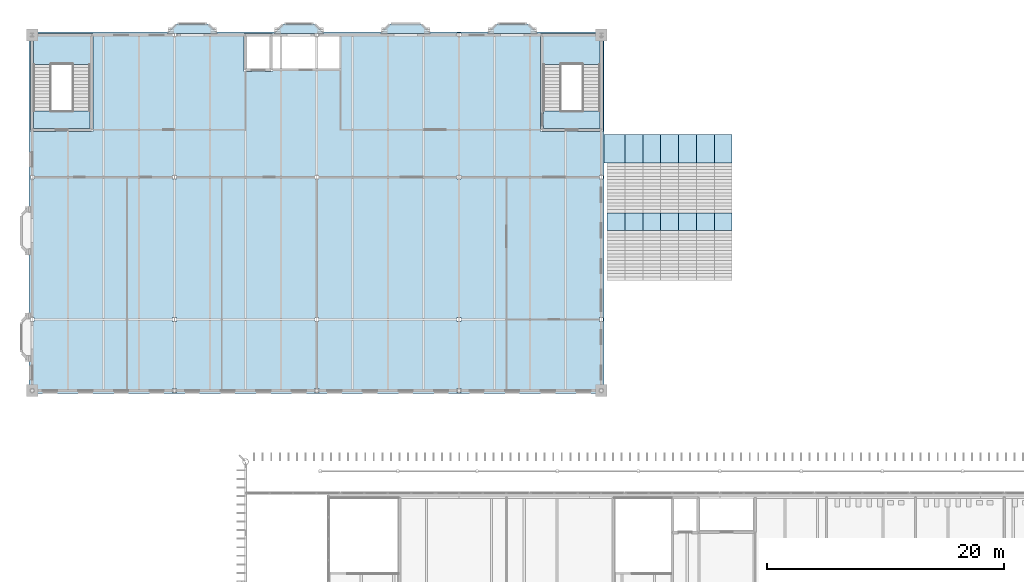
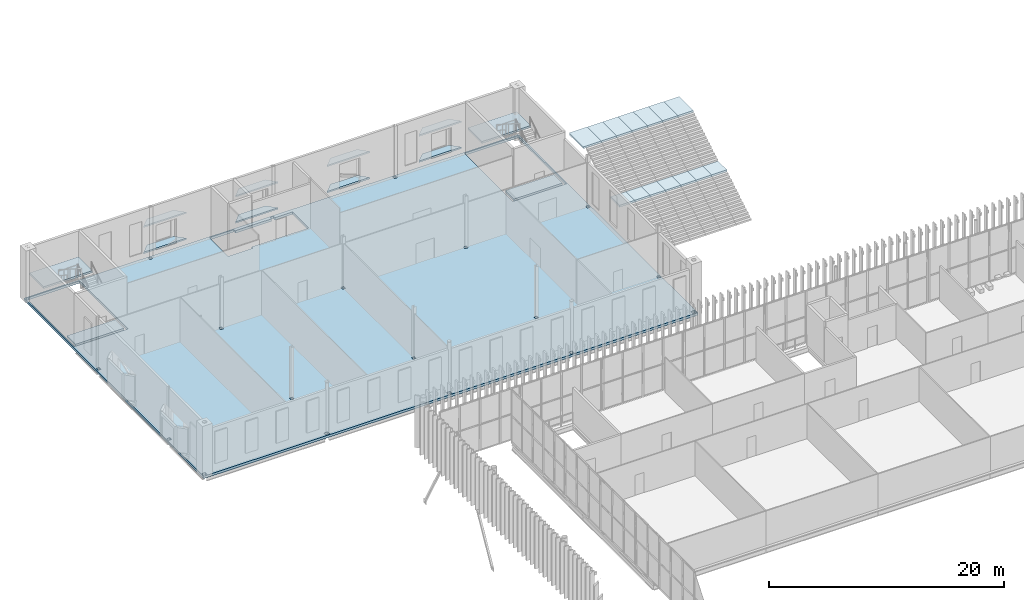
# One storey, part 98 of 170: 27 slabs, 9 elements without a shape of their own.
"""IFC4 building model written with IfcOpenShell, lengths in metres."""

import ifcopenshell
import ifcopenshell.guid

model = None  # the IFC model being written
_history = None  # IfcOwnerHistory: only IFC2X3 demands one
_inside = {}  # id of a spatial element -> (the spatial element, [elements in it])
_under = {}  # id of a project, library or spatial element -> (it, [spatial elements below it])
_declared = {}  # id of a project -> (the project, [libraries it declares])
_typed = {}  # id of a type object -> (the type object, [elements of that type])
_made_of = {}  # id of a material, layer set ... -> (it, [elements and type objects made of it])


def new_model(schema):
    """Start an empty IFC model of exactly this schema.

    Asked for "IFC4X3", IfcOpenShell would pick the latest addendum, in which some entities
    have other attributes; the version numbers below select the first issue.
    IFC2X3 requires an IfcOwnerHistory on every rooted entity: one is made here for all.
    """
    global model, _history
    if schema == "IFC4X3":
        model = ifcopenshell.file(schema_version=(4, 3, 0, 0))
    else:
        model = ifcopenshell.file(schema=schema)
    _inside.clear()
    _under.clear()
    _declared.clear()
    _typed.clear()
    _made_of.clear()
    _history = None
    if model.schema == "IFC2X3":
        org = make("IfcOrganization", Name="unknown")
        user = make(
            "IfcPersonAndOrganization",
            ThePerson=make("IfcPerson", FamilyName="unknown"),
            TheOrganization=org,
        )
        app = make(
            "IfcApplication",
            ApplicationDeveloper=org,
            Version="unknown",
            ApplicationFullName="unknown",
            ApplicationIdentifier="unknown",
        )
        _history = make(
            "IfcOwnerHistory",
            OwningUser=user,
            OwningApplication=app,
            ChangeAction="ADDED",
            CreationDate=0,
        )
    return model


def make(cls, **values):
    """One entity of the class cls with the attributes given. An attribute that is None is left unset."""
    return model.create_entity(
        cls, **{name: value for name, value in values.items() if value is not None}
    )


def rooted(cls, **values):
    """An entity with a GlobalId (a new one), such as an element, a storey or a relation."""
    return make(cls, GlobalId=ifcopenshell.guid.new(), OwnerHistory=_history, **values)


def si_unit(unit_type, name, prefix=None):
    """IfcSIUnit, for example si_unit("LENGTHUNIT", "METRE", prefix="MILLI")."""
    return make("IfcSIUnit", UnitType=unit_type, Prefix=prefix, Name=name)


def assignment(units):
    """IfcUnitAssignment: the units of a project."""
    return None if units is None else make("IfcUnitAssignment", Units=units)


def point(xyz):
    """IfcCartesianPoint."""
    return None if xyz is None else make("IfcCartesianPoint", Coordinates=xyz)


def direction(xyz):
    """IfcDirection."""
    return None if xyz is None else make("IfcDirection", DirectionRatios=xyz)


def frame(location, z_axis=None, x_axis=None):
    """IfcAxis2Placement3D, a coordinate frame: its origin and axes. An axis left out is left unset."""
    return make(
        "IfcAxis2Placement3D",
        Location=point(location),
        Axis=direction(z_axis),
        RefDirection=direction(x_axis),
    )


def origin():
    """The frame at (0, 0, 0) with its axes left unset."""
    return frame((0.0, 0.0, 0.0))


def place(relative_to, where):
    """IfcLocalPlacement: puts the frame where relative to a parent placement (None: the world)."""
    return make(
        "IfcLocalPlacement", PlacementRelTo=relative_to, RelativePlacement=where
    )


def context(
    kind, dimensions, precision=None, world=None, true_north=None, identifier=None
):
    """IfcGeometricRepresentationContext, for example the 3D "Model" context."""
    return make(
        "IfcGeometricRepresentationContext",
        ContextIdentifier=identifier,
        ContextType=kind,
        CoordinateSpaceDimension=dimensions,
        Precision=precision,
        WorldCoordinateSystem=world,
        TrueNorth=true_north,
    )


def subcontext(parent, identifier, kind, view, scale=None):
    """IfcGeometricRepresentationSubContext, for example "Body" below "Model"."""
    return make(
        "IfcGeometricRepresentationSubContext",
        ContextIdentifier=identifier,
        ContextType=kind,
        ParentContext=parent,
        TargetScale=scale,
        TargetView=view,
    )


def project(units=None, contexts=None):
    """IfcProject with its units and contexts."""
    return rooted(
        "IfcProject",
        Name="project",
        RepresentationContexts=contexts,
        UnitsInContext=assignment(units),
    )


def spatial(cls, under=None, at=None, **own):
    """A site, building, storey or space (cls), placed at a placement, below another one or the project."""
    s = rooted(cls, ObjectPlacement=at, **own)
    if under is not None:
        _under.setdefault(under.id(), (under, []))[1].append(s)
    return s


def polyline(points):
    """IfcPolyline through the points."""
    return make("IfcPolyline", Points=[point(p) for p in points])


def outline(outer, holes=None, kind="AREA"):
    """IfcArbitraryClosedProfileDef: a profile drawn as a closed curve; with holes, ...WithVoids."""
    if holes is None:
        return make("IfcArbitraryClosedProfileDef", ProfileType=kind, OuterCurve=outer)
    return make(
        "IfcArbitraryProfileDefWithVoids",
        ProfileType=kind,
        OuterCurve=outer,
        InnerCurves=holes,
    )


def extrude(swept, where, along, depth):
    """IfcExtrudedAreaSolid: the profile swept, set in the frame where, extruded along a direction by depth."""
    return make(
        "IfcExtrudedAreaSolid",
        SweptArea=swept,
        Position=where,
        ExtrudedDirection=direction(along),
        Depth=depth,
    )


def shape(context_of_items, identifier, shape_type, items):
    """IfcShapeRepresentation: the items that make up one representation, for example the "Body"."""
    return make(
        "IfcShapeRepresentation",
        ContextOfItems=context_of_items,
        RepresentationIdentifier=identifier,
        RepresentationType=shape_type,
        Items=items,
    )


def material(Name=None, Category=None):
    """IfcMaterial."""
    return make("IfcMaterial", Name=Name, Category=Category)


def layer(
    of_material, thickness, ventilated=None, Name=None, Category=None, Priority=None
):
    """IfcMaterialLayer: one layer of a wall or slab, of a material (None: an air gap)."""
    return make(
        "IfcMaterialLayer",
        Material=of_material,
        LayerThickness=thickness,
        IsVentilated=ventilated,
        Name=Name,
        Category=Category,
        Priority=Priority,
    )


def layer_set(layers, Name=None):
    """IfcMaterialLayerSet."""
    return make("IfcMaterialLayerSet", MaterialLayers=layers, LayerSetName=Name)


def made_of(thing, what):
    """Note that an element or type object is made of a material, layer set ...; save() writes the relation."""
    if what is not None:
        _made_of.setdefault(what.id(), (what, []))[1].append(thing)
    return thing


def type_object(cls, material=None, **own):
    """A type object (cls), such as IfcWallType, which elements share."""
    return made_of(rooted(cls, **own), material)


def element(
    cls,
    number,
    at=None,
    inside=None,
    cuts=None,
    type_object=None,
    material=None,
    context=None,
    identifier="Body",
    shape_type=None,
    held_by="IfcProductDefinitionShape",
    body=None,
    shapes=None,
    **own,
):
    """One element of the class cls, such as IfcWall. Its Tag is "e" and its number.

    at: its placement. inside: the storey or other place that contains it. cuts: it is an
    opening in that element (IfcRelVoidsElement). A single representation is given by context,
    identifier, shape_type and body (its items); several are given by shapes. held_by: the class
    of the entity that holds the representations. save() writes the other relations.
    """
    e = rooted(cls, Tag="e%d" % number, ObjectPlacement=at, **own)
    if body is not None:
        shapes = [shape(context, identifier, shape_type, body)]
    if shapes is not None:
        e.Representation = make(held_by, Representations=shapes)
    if inside is not None:
        _inside.setdefault(inside.id(), (inside, []))[1].append(e)
    if cuts is not None:
        rooted(
            "IfcRelVoidsElement", RelatingBuildingElement=cuts, RelatedOpeningElement=e
        )
    if type_object is not None:
        _typed.setdefault(type_object.id(), (type_object, []))[1].append(e)
    return made_of(e, material)


def aggregate(whole, parts):
    """IfcRelAggregates: a whole, such as a stair, and the parts it consists of."""
    return rooted("IfcRelAggregates", RelatingObject=whole, RelatedObjects=parts)


def save(model, path):
    """Write the relations noted so far, then the file.

    IfcRelAggregates (storeys below a building ...), IfcRelContainedInSpatialStructure (elements
    in a storey), IfcRelDefinesByType, IfcRelAssociatesMaterial and IfcRelDeclares: one each for
    every whole, place, type object, material and project.
    """
    for whole, parts in _under.values():
        aggregate(whole, parts)
    for where, things in _inside.values():
        rooted(
            "IfcRelContainedInSpatialStructure",
            RelatedElements=things,
            RelatingStructure=where,
        )
    for kind, things in _typed.values():
        rooted("IfcRelDefinesByType", RelatedObjects=things, RelatingType=kind)
    for what, things in _made_of.values():
        rooted("IfcRelAssociatesMaterial", RelatedObjects=things, RelatingMaterial=what)
    for by, libraries in _declared.values():
        rooted("IfcRelDeclares", RelatingContext=by, RelatedDefinitions=libraries)
    model.write(path)


model = new_model("IFC4")

# Units and contexts
model_context = context("Model", 3, precision=1e-05, world=origin(), true_north=direction((0.0, 1.0)))
body_context = subcontext(model_context, "Body", "Model", "MODEL_VIEW")
ifc_project = project(units=[si_unit("LENGTHUNIT", "METRE"), si_unit("AREAUNIT", "SQUARE_METRE"), si_unit("VOLUMEUNIT", "CUBIC_METRE"), si_unit("PLANEANGLEUNIT", "RADIAN"), si_unit("MASSUNIT", "GRAM", prefix="KILO")], contexts=[model_context])

# Site, building, storey
site_placement = place(None, origin())
site = spatial("IfcSite", under=ifc_project, at=site_placement, CompositionType="ELEMENT")
building_placement = place(site_placement, origin())
building = spatial("IfcBuilding", under=site, at=building_placement, Name="Ravi Spectrum Wholesale Market", CompositionType="ELEMENT")
storey_placement = place(building_placement, frame((0.0, 0.0, 5.39990234375)))
storey = spatial("IfcBuildingStorey", under=building, at=storey_placement, Name="L01", CompositionType="ELEMENT", Elevation=5.39990234375)

# Slabs
ifc_material_1 = material(Name="Concrete C35/45", Category="concrete")
ifc_layer_1 = layer(ifc_material_1, 0.25)
ifc_layer_set_1 = layer_set([ifc_layer_1], Name="Concrete C35/45")
slab_type_1 = type_object("IfcSlabType", Name="Composite deck slab 250", PredefinedType="FLOOR", material=ifc_layer_set_1)
slab_1_placement = place(storey_placement, frame((0.0, 0.0, -0.25)))
element("IfcSlab", 1, at=slab_1_placement, inside=storey, type_object=slab_type_1, Name="OF-SL-L01-001", PredefinedType="FLOOR", context=body_context, shape_type="SweptSolid", body=[
    extrude(outline(polyline([(11.75, 203.75), (11.75, 234.25), (60.25, 234.25), (60.25, 203.75), (11.75, 203.75)]), holes=[polyline([(12.177734375, 203.822265625), (12.177734375, 204.177734375), (11.822265625, 204.177734375), (11.822265625, 203.822265625), (12.177734375, 203.822265625)]), polyline([(23.822265625, 203.822265625), (24.177734375, 203.822265625), (24.177734375, 204.177734375), (23.822265625, 204.177734375), (23.822265625, 203.822265625)]), polyline([(35.822265625, 203.822265625), (36.177734375, 203.822265625), (36.177734375, 204.177734375), (35.822265625, 204.177734375), (35.822265625, 203.822265625)]), polyline([(12.14990234375, 209.85009765625), (12.14990234375, 210.14990234375), (11.85009765625, 210.14990234375), (11.85009765625, 209.85009765625), (12.14990234375, 209.85009765625)]), polyline([(23.85009765625, 209.85009765625), (24.14990234375, 209.85009765625), (24.14990234375, 210.14990234375), (23.85009765625, 210.14990234375), (23.85009765625, 209.85009765625)]), polyline([(11.85009765625, 221.85009765625), (12.14990234375, 221.85009765625), (12.14990234375, 222.14990234375), (11.85009765625, 222.14990234375), (11.85009765625, 221.85009765625)]), polyline([(24.14990234375, 221.85009765625), (24.14990234375, 222.14990234375), (23.85009765625, 222.14990234375), (23.85009765625, 221.85009765625), (24.14990234375, 221.85009765625)]), polyline([(11.875, 225.875), (17.125, 225.875), (17.125, 234.125), (12.14990234375, 234.125), (12.14990234375, 234.14990234375), (11.85009765625, 234.14990234375), (11.85009765625, 233.85009765625), (11.875, 233.85009765625), (11.875, 225.875)]), polyline([(37.89990234375, 233.89990234375), (36.14990234375, 233.89990234375), (36.14990234375, 234.14990234375), (35.85009765625, 234.14990234375), (35.85009765625, 233.89990234375), (32.27490234375, 233.89990234375), (32.27490234375, 234.125), (29.875, 234.125), (29.875, 230.925048828125), (32.27490234375, 230.925048828125), (32.27490234375, 231.14990234375), (37.89990234375, 231.14990234375), (37.89990234375, 233.89990234375)]), polyline([(23.85009765625, 233.85009765625), (24.14990234375, 233.85009765625), (24.14990234375, 234.14990234375), (23.85009765625, 234.14990234375), (23.85009765625, 233.85009765625)]), polyline([(48.177734375, 203.822265625), (48.177734375, 204.177734375), (47.822265625, 204.177734375), (47.822265625, 203.822265625), (48.177734375, 203.822265625)]), polyline([(59.822265625, 203.822265625), (60.177734375, 203.822265625), (60.177734375, 204.177734375), (59.822265625, 204.177734375), (59.822265625, 203.822265625)]), polyline([(35.85009765625, 209.85009765625), (36.14990234375, 209.85009765625), (36.14990234375, 210.14990234375), (35.85009765625, 210.14990234375), (35.85009765625, 209.85009765625)]), polyline([(48.14990234375, 209.85009765625), (48.14990234375, 210.14990234375), (47.85009765625, 210.14990234375), (47.85009765625, 209.85009765625), (48.14990234375, 209.85009765625)]), polyline([(59.85009765625, 209.85009765625), (60.14990234375, 209.85009765625), (60.14990234375, 210.14990234375), (59.85009765625, 210.14990234375), (59.85009765625, 209.85009765625)]), polyline([(35.85009765625, 221.85009765625), (36.14990234375, 221.85009765625), (36.14990234375, 222.14990234375), (35.85009765625, 222.14990234375), (35.85009765625, 221.85009765625)]), polyline([(48.14990234375, 221.85009765625), (48.14990234375, 222.14990234375), (47.85009765625, 222.14990234375), (47.85009765625, 221.85009765625), (48.14990234375, 221.85009765625)]), polyline([(59.85009765625, 221.85009765625), (60.14990234375, 221.85009765625), (60.14990234375, 222.14990234375), (59.85009765625, 222.14990234375), (59.85009765625, 221.85009765625)]), polyline([(54.875, 225.875), (60.125, 225.875), (60.125, 233.85009765625), (60.14990234375, 233.85009765625), (60.14990234375, 234.14990234375), (59.85009765625, 234.14990234375), (59.85009765625, 234.125), (54.875, 234.125), (54.875, 225.875)]), polyline([(47.85009765625, 233.85009765625), (48.14990234375, 233.85009765625), (48.14990234375, 234.14990234375), (47.85009765625, 234.14990234375), (47.85009765625, 233.85009765625)])]), origin(), (0.0, 0.0, 1.0), 0.25),
])
ifc_material_2 = material(Name="Concrete C35/45", Category="concrete")
ifc_layer_2 = layer(ifc_material_2, 0.159912109375)
ifc_layer_set_2 = layer_set([ifc_layer_2], Name="Concrete C35/45")
slab_type_2 = type_object("IfcSlabType", Name="Oriel floor slab 160", PredefinedType="FLOOR", material=ifc_layer_set_2)
slab_2_placement = place(storey_placement, frame((0.0, 0.0, 0.590087890625)))
element("IfcSlab", 2, at=slab_2_placement, inside=storey, type_object=slab_type_2, Name="Oriel floor", PredefinedType="FLOOR", context=body_context, shape_type="SweptSolid", body=[
    extrude(outline(polyline([(23.39990234375, 234.114990234375), (24.199951171875, 234.9150390625), (26.800048828125, 234.9150390625), (27.60009765625, 234.114990234375), (23.39990234375, 234.114990234375)])), origin(), (0.0, 0.0, 1.0), 0.159912109375),
])
slab_3_placement = place(storey_placement, frame((0.0, 0.0, 0.590087890625)))
element("IfcSlab", 3, at=slab_3_placement, inside=storey, type_object=slab_type_2, Name="Oriel floor", PredefinedType="FLOOR", context=body_context, shape_type="SweptSolid", body=[
    extrude(outline(polyline([(32.39990234375, 234.114990234375), (33.199951171875, 234.9150390625), (35.800048828125, 234.9150390625), (36.60009765625, 234.114990234375), (32.39990234375, 234.114990234375)])), origin(), (0.0, 0.0, 1.0), 0.159912109375),
])
slab_4_placement = place(storey_placement, frame((0.0, 0.0, 0.590087890625)))
element("IfcSlab", 4, at=slab_4_placement, inside=storey, type_object=slab_type_2, Name="Oriel floor", PredefinedType="FLOOR", context=body_context, shape_type="SweptSolid", body=[
    extrude(outline(polyline([(41.39990234375, 234.114990234375), (42.199951171875, 234.9150390625), (44.800048828125, 234.9150390625), (45.60009765625, 234.114990234375), (41.39990234375, 234.114990234375)])), origin(), (0.0, 0.0, 1.0), 0.159912109375),
])
slab_5_placement = place(storey_placement, frame((0.0, 0.0, 0.590087890625)))
element("IfcSlab", 5, at=slab_5_placement, inside=storey, type_object=slab_type_2, Name="Oriel floor", PredefinedType="FLOOR", context=body_context, shape_type="SweptSolid", body=[
    extrude(outline(polyline([(50.39990234375, 234.114990234375), (51.199951171875, 234.9150390625), (53.800048828125, 234.9150390625), (54.60009765625, 234.114990234375), (50.39990234375, 234.114990234375)])), origin(), (0.0, 0.0, 1.0), 0.159912109375),
])
ifc_material_3 = material(Name="Concrete C35/45", Category="concrete")
ifc_layer_3 = layer(ifc_material_3, 0.14990234375)
ifc_layer_set_3 = layer_set([ifc_layer_3], Name="Concrete C35/45")
slab_type_3 = type_object("IfcSlabType", Name="Oriel roof slab 150", PredefinedType="ROOF", material=ifc_layer_set_3)
slab_6_placement = place(storey_placement, frame((0.0, 0.0, 3.300048828125)))
element("IfcSlab", 6, at=slab_6_placement, inside=storey, type_object=slab_type_3, Name="Oriel roof", PredefinedType="ROOF", context=body_context, shape_type="SweptSolid", body=[
    extrude(outline(polyline([(23.39990234375, 234.114990234375), (24.199951171875, 234.9150390625), (26.800048828125, 234.9150390625), (27.60009765625, 234.114990234375), (23.39990234375, 234.114990234375)])), origin(), (0.0, 0.0, 1.0), 0.150146484375),
])
slab_7_placement = place(storey_placement, frame((0.0, 0.0, 3.300048828125)))
element("IfcSlab", 7, at=slab_7_placement, inside=storey, type_object=slab_type_3, Name="Oriel roof", PredefinedType="ROOF", context=body_context, shape_type="SweptSolid", body=[
    extrude(outline(polyline([(32.39990234375, 234.114990234375), (33.199951171875, 234.9150390625), (35.800048828125, 234.9150390625), (36.60009765625, 234.114990234375), (32.39990234375, 234.114990234375)])), origin(), (0.0, 0.0, 1.0), 0.150146484375),
])
slab_8_placement = place(storey_placement, frame((0.0, 0.0, 3.300048828125)))
element("IfcSlab", 8, at=slab_8_placement, inside=storey, type_object=slab_type_3, Name="Oriel roof", PredefinedType="ROOF", context=body_context, shape_type="SweptSolid", body=[
    extrude(outline(polyline([(41.39990234375, 234.114990234375), (42.199951171875, 234.9150390625), (44.800048828125, 234.9150390625), (45.60009765625, 234.114990234375), (41.39990234375, 234.114990234375)])), origin(), (0.0, 0.0, 1.0), 0.150146484375),
])
slab_9_placement = place(storey_placement, frame((0.0, 0.0, 3.300048828125)))
element("IfcSlab", 9, at=slab_9_placement, inside=storey, type_object=slab_type_3, Name="Oriel roof", PredefinedType="ROOF", context=body_context, shape_type="SweptSolid", body=[
    extrude(outline(polyline([(50.39990234375, 234.114990234375), (51.199951171875, 234.9150390625), (53.800048828125, 234.9150390625), (54.60009765625, 234.114990234375), (50.39990234375, 234.114990234375)])), origin(), (0.0, 0.0, 1.0), 0.150146484375),
])

# Stair, slabs
ifc_material_4 = material(Name="Concrete C35/45", Category="concrete")
stair_type = type_object("IfcStairType", Name="Stair", PredefinedType="NOTDEFINED", material=ifc_material_4)
stair_1_placement = place(storey_placement, origin())
stair_1 = element("IfcStair", 10, at=stair_1_placement, inside=storey, type_object=stair_type, Name="GW-ST-L01-001", PredefinedType="NOTDEFINED")
ifc_material_5 = material(Name="Concrete C35/45", Category="concrete")
ifc_layer_4 = layer(ifc_material_5, 0.199951171875)
ifc_layer_set_4 = layer_set([ifc_layer_4], Name="Concrete C35/45")
slab_type_4 = type_object("IfcSlabType", Name="Stair landing 200", PredefinedType="LANDING", material=ifc_layer_set_4)
slab_10_placement = place(storey_placement, frame((0.0, 0.0, 2.5)))
slab_10 = element("IfcSlab", 11, at=slab_10_placement, type_object=slab_type_4, Name="ST-GW1 landing 1", PredefinedType="LANDING", context=body_context, shape_type="SweptSolid", body=[
    extrude(outline(polyline([(60.5, 217.5), (62.0048828125, 217.5), (62.0048828125, 219.0), (60.5, 219.0), (60.5, 217.5)])), origin(), (0.0, 0.0, 1.0), 0.2001953125),
])
slab_11_placement = place(storey_placement, frame((0.0, 0.0, 5.2001953125)))
slab_11 = element("IfcSlab", 12, at=slab_11_placement, type_object=slab_type_4, Name="ST-GW1 landing 2", PredefinedType="LANDING", context=body_context, shape_type="SweptSolid", body=[
    extrude(outline(polyline([(60.25, 223.199951171875), (62.0048828125, 223.199951171875), (62.0048828125, 225.60009765625), (60.25, 225.60009765625), (60.25, 223.199951171875)])), origin(), (0.0, 0.0, 1.0), 0.199951171875),
])
aggregate(stair_1, [slab_10, slab_11])

stair_2_placement = place(storey_placement, origin())
stair_2 = element("IfcStair", 13, at=stair_2_placement, inside=storey, type_object=stair_type, Name="GW-ST-L01-002", PredefinedType="NOTDEFINED")
slab_12_placement = place(storey_placement, frame((0.0, 0.0, 2.5)))
slab_12 = element("IfcSlab", 14, at=slab_12_placement, type_object=slab_type_4, Name="ST-GW2 landing 1", PredefinedType="LANDING", context=body_context, shape_type="SweptSolid", body=[
    extrude(outline(polyline([(62.0048828125, 217.5), (63.510009765625, 217.5), (63.510009765625, 219.0), (62.0048828125, 219.0), (62.0048828125, 217.5)])), origin(), (0.0, 0.0, 1.0), 0.2001953125),
])
slab_13_placement = place(storey_placement, frame((0.0, 0.0, 5.2001953125)))
slab_13 = element("IfcSlab", 15, at=slab_13_placement, type_object=slab_type_4, Name="ST-GW2 landing 2", PredefinedType="LANDING", context=body_context, shape_type="SweptSolid", body=[
    extrude(outline(polyline([(62.0048828125, 223.199951171875), (63.510009765625, 223.199951171875), (63.510009765625, 225.60009765625), (62.0048828125, 225.60009765625), (62.0048828125, 223.199951171875)])), origin(), (0.0, 0.0, 1.0), 0.199951171875),
])
aggregate(stair_2, [slab_12, slab_13])

stair_3_placement = place(storey_placement, origin())
stair_3 = element("IfcStair", 16, at=stair_3_placement, inside=storey, type_object=stair_type, Name="GW-ST-L01-003", PredefinedType="NOTDEFINED")
slab_14_placement = place(storey_placement, frame((0.0, 0.0, 2.5)))
slab_14 = element("IfcSlab", 17, at=slab_14_placement, type_object=slab_type_4, Name="ST-GW3 landing 1", PredefinedType="LANDING", context=body_context, shape_type="SweptSolid", body=[
    extrude(outline(polyline([(63.510009765625, 217.5), (65.014892578125, 217.5), (65.014892578125, 219.0), (63.510009765625, 219.0), (63.510009765625, 217.5)])), origin(), (0.0, 0.0, 1.0), 0.2001953125),
])
slab_15_placement = place(storey_placement, frame((0.0, 0.0, 5.2001953125)))
slab_15 = element("IfcSlab", 18, at=slab_15_placement, type_object=slab_type_4, Name="ST-GW3 landing 2", PredefinedType="LANDING", context=body_context, shape_type="SweptSolid", body=[
    extrude(outline(polyline([(63.510009765625, 223.199951171875), (65.014892578125, 223.199951171875), (65.014892578125, 225.60009765625), (63.510009765625, 225.60009765625), (63.510009765625, 223.199951171875)])), origin(), (0.0, 0.0, 1.0), 0.199951171875),
])
aggregate(stair_3, [slab_14, slab_15])

stair_4_placement = place(storey_placement, origin())
stair_4 = element("IfcStair", 19, at=stair_4_placement, inside=storey, type_object=stair_type, Name="GW-ST-L01-004", PredefinedType="NOTDEFINED")
slab_16_placement = place(storey_placement, frame((0.0, 0.0, 2.5)))
slab_16 = element("IfcSlab", 20, at=slab_16_placement, type_object=slab_type_4, Name="ST-GW4 landing 1", PredefinedType="LANDING", context=body_context, shape_type="SweptSolid", body=[
    extrude(outline(polyline([(65.014892578125, 217.5), (66.52001953125, 217.5), (66.52001953125, 219.0), (65.014892578125, 219.0), (65.014892578125, 217.5)])), origin(), (0.0, 0.0, 1.0), 0.2001953125),
])
slab_17_placement = place(storey_placement, frame((0.0, 0.0, 5.2001953125)))
slab_17 = element("IfcSlab", 21, at=slab_17_placement, type_object=slab_type_4, Name="ST-GW4 landing 2", PredefinedType="LANDING", context=body_context, shape_type="SweptSolid", body=[
    extrude(outline(polyline([(65.014892578125, 223.199951171875), (66.52001953125, 223.199951171875), (66.52001953125, 225.60009765625), (65.014892578125, 225.60009765625), (65.014892578125, 223.199951171875)])), origin(), (0.0, 0.0, 1.0), 0.199951171875),
])
aggregate(stair_4, [slab_16, slab_17])

stair_5_placement = place(storey_placement, origin())
stair_5 = element("IfcStair", 22, at=stair_5_placement, inside=storey, type_object=stair_type, Name="GW-ST-L01-005", PredefinedType="NOTDEFINED")
slab_18_placement = place(storey_placement, frame((0.0, 0.0, 2.5)))
slab_18 = element("IfcSlab", 23, at=slab_18_placement, type_object=slab_type_4, Name="ST-GW5 landing 1", PredefinedType="LANDING", context=body_context, shape_type="SweptSolid", body=[
    extrude(outline(polyline([(66.52001953125, 217.5), (68.02490234375, 217.5), (68.02490234375, 219.0), (66.52001953125, 219.0), (66.52001953125, 217.5)])), origin(), (0.0, 0.0, 1.0), 0.2001953125),
])
slab_19_placement = place(storey_placement, frame((0.0, 0.0, 5.2001953125)))
slab_19 = element("IfcSlab", 24, at=slab_19_placement, type_object=slab_type_4, Name="ST-GW5 landing 2", PredefinedType="LANDING", context=body_context, shape_type="SweptSolid", body=[
    extrude(outline(polyline([(66.52001953125, 223.199951171875), (68.02490234375, 223.199951171875), (68.02490234375, 225.60009765625), (66.52001953125, 225.60009765625), (66.52001953125, 223.199951171875)])), origin(), (0.0, 0.0, 1.0), 0.199951171875),
])
aggregate(stair_5, [slab_18, slab_19])

stair_6_placement = place(storey_placement, origin())
stair_6 = element("IfcStair", 25, at=stair_6_placement, inside=storey, type_object=stair_type, Name="GW-ST-L01-006", PredefinedType="NOTDEFINED")
slab_20_placement = place(storey_placement, frame((0.0, 0.0, 2.5)))
slab_20 = element("IfcSlab", 26, at=slab_20_placement, type_object=slab_type_4, Name="ST-GW6 landing 1", PredefinedType="LANDING", context=body_context, shape_type="SweptSolid", body=[
    extrude(outline(polyline([(68.02490234375, 217.5), (69.530029296875, 217.5), (69.530029296875, 219.0), (68.02490234375, 219.0), (68.02490234375, 217.5)])), origin(), (0.0, 0.0, 1.0), 0.2001953125),
])
slab_21_placement = place(storey_placement, frame((0.0, 0.0, 5.2001953125)))
slab_21 = element("IfcSlab", 27, at=slab_21_placement, type_object=slab_type_4, Name="ST-GW6 landing 2", PredefinedType="LANDING", context=body_context, shape_type="SweptSolid", body=[
    extrude(outline(polyline([(68.02490234375, 223.199951171875), (69.530029296875, 223.199951171875), (69.530029296875, 225.60009765625), (68.02490234375, 225.60009765625), (68.02490234375, 223.199951171875)])), origin(), (0.0, 0.0, 1.0), 0.199951171875),
])
aggregate(stair_6, [slab_20, slab_21])

stair_7_placement = place(storey_placement, origin())
stair_7 = element("IfcStair", 28, at=stair_7_placement, inside=storey, type_object=stair_type, Name="GW-ST-L01-007", PredefinedType="NOTDEFINED")
slab_22_placement = place(storey_placement, frame((0.0, 0.0, 2.5)))
slab_22 = element("IfcSlab", 29, at=slab_22_placement, type_object=slab_type_4, Name="ST-GW7 landing 1", PredefinedType="LANDING", context=body_context, shape_type="SweptSolid", body=[
    extrude(outline(polyline([(69.530029296875, 217.5), (71.034912109375, 217.5), (71.034912109375, 219.0), (69.530029296875, 219.0), (69.530029296875, 217.5)])), origin(), (0.0, 0.0, 1.0), 0.2001953125),
])
slab_23_placement = place(storey_placement, frame((0.0, 0.0, 5.2001953125)))
slab_23 = element("IfcSlab", 30, at=slab_23_placement, type_object=slab_type_4, Name="ST-GW7 landing 2", PredefinedType="LANDING", context=body_context, shape_type="SweptSolid", body=[
    extrude(outline(polyline([(69.530029296875, 223.199951171875), (71.034912109375, 223.199951171875), (71.034912109375, 225.60009765625), (69.530029296875, 225.60009765625), (69.530029296875, 223.199951171875)])), origin(), (0.0, 0.0, 1.0), 0.199951171875),
])
aggregate(stair_7, [slab_22, slab_23])

# Stair, slab
stair_8_placement = place(storey_placement, origin())
stair_8 = element("IfcStair", 31, at=stair_8_placement, inside=storey, type_object=stair_type, Name="L01 S-OF-1", PredefinedType="HALF_TURN_STAIR")
slab_24_placement = place(storey_placement, frame((0.0, 0.0, 2.5)))
slab_24 = element("IfcSlab", 32, at=slab_24_placement, type_object=slab_type_4, Name="S-OF-1 landing 1", PredefinedType="LANDING", context=body_context, shape_type="SweptSolid", body=[
    extrude(outline(polyline([(16.89990234375, 231.52001953125), (16.89990234375, 233.89990234375), (12.10009765625, 233.89990234375), (12.10009765625, 231.52001953125), (16.89990234375, 231.52001953125)])), origin(), (0.0, 0.0, 1.0), 0.2001953125),
])
aggregate(stair_8, [slab_24])

# Slab
slab_25_placement = place(storey_placement, frame((0.0, 0.0, -0.199951171875)))
element("IfcSlab", 33, at=slab_25_placement, inside=storey, type_object=slab_type_4, Name="OF-SL-L01-S-OF-1-ARR", PredefinedType="LANDING", context=body_context, shape_type="SweptSolid", body=[
    extrude(outline(polyline([(16.875, 226.125), (16.875, 227.60009765625), (12.125, 227.60009765625), (12.125, 226.125), (16.875, 226.125)])), origin(), (0.0, 0.0, 1.0), 0.199951171875),
])

# Stair, slab
stair_9_placement = place(storey_placement, origin())
stair_9 = element("IfcStair", 34, at=stair_9_placement, inside=storey, type_object=stair_type, Name="L01 S-OF-2", PredefinedType="HALF_TURN_STAIR")
slab_26_placement = place(storey_placement, frame((0.0, 0.0, 2.5)))
slab_26 = element("IfcSlab", 35, at=slab_26_placement, type_object=slab_type_4, Name="S-OF-2 landing 1", PredefinedType="LANDING", context=body_context, shape_type="SweptSolid", body=[
    extrude(outline(polyline([(59.89990234375, 231.52001953125), (59.89990234375, 233.89990234375), (55.10009765625, 233.89990234375), (55.10009765625, 231.52001953125), (59.89990234375, 231.52001953125)])), origin(), (0.0, 0.0, 1.0), 0.2001953125),
])
aggregate(stair_9, [slab_26])

# Slab
slab_27_placement = place(storey_placement, frame((0.0, 0.0, -0.199951171875)))
element("IfcSlab", 36, at=slab_27_placement, inside=storey, type_object=slab_type_4, Name="OF-SL-L01-S-OF-2-ARR", PredefinedType="LANDING", context=body_context, shape_type="SweptSolid", body=[
    extrude(outline(polyline([(59.875, 226.125), (59.875, 227.60009765625), (55.125, 227.60009765625), (55.125, 226.125), (59.875, 226.125)])), origin(), (0.0, 0.0, 1.0), 0.199951171875),
])

save(model, "model.ifc")
